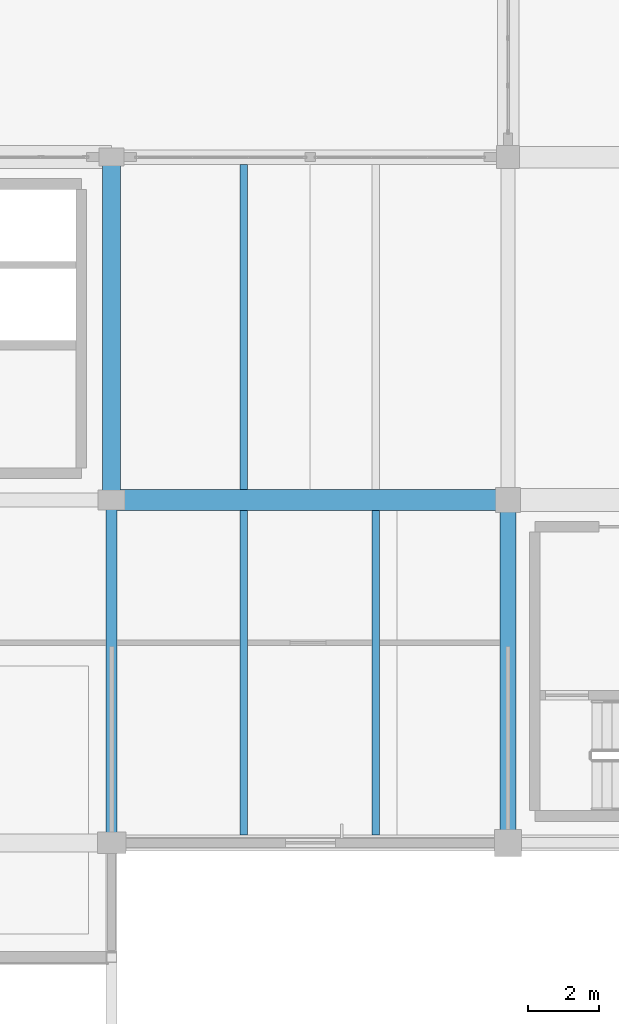
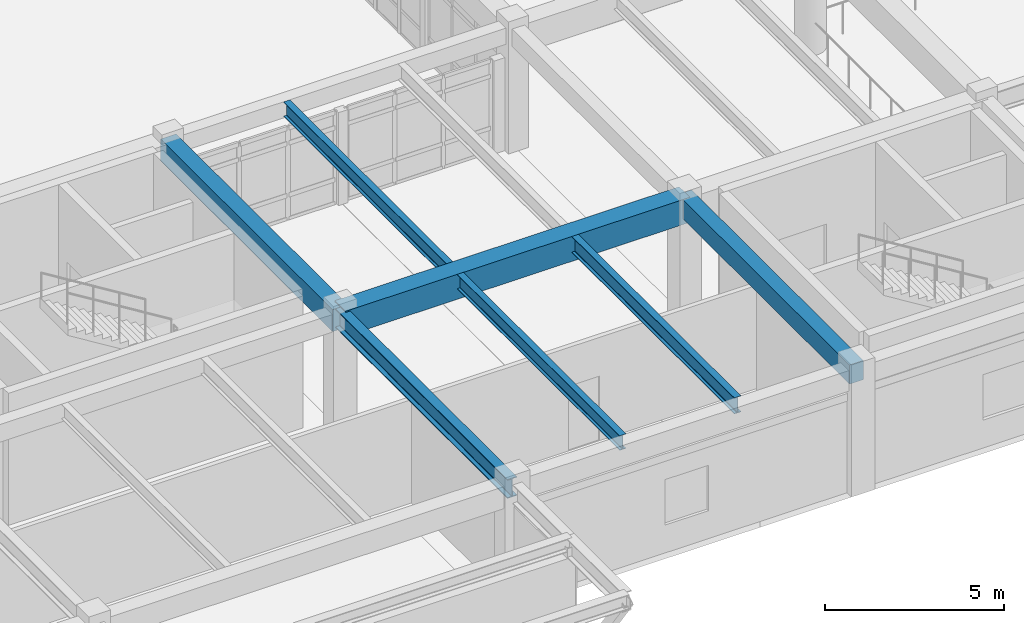
# One storey, part 25 of 109: 7 beams.
"""IFC4 building model written with IfcOpenShell, lengths in metres."""

from ifc_helpers import new_model, si_unit, direction, frame, origin, origin_2d, place, context, subcontext, project, spatial, rectangle, i_section, extrude, material, material_profile, profile_set, type_object, element, save


model = new_model("IFC4")

# Units and contexts
model_context = context("Model", 3, precision=1e-05, world=origin(), true_north=direction((0.0, 1.0)))
body_context = subcontext(model_context, "Body", "Model", "MODEL_VIEW")
ifc_project = project(units=[si_unit("LENGTHUNIT", "METRE"), si_unit("AREAUNIT", "SQUARE_METRE"), si_unit("VOLUMEUNIT", "CUBIC_METRE"), si_unit("PLANEANGLEUNIT", "RADIAN"), si_unit("MASSUNIT", "GRAM", prefix="KILO")], contexts=[model_context])

# Site, building, storey
site_placement = place(None, origin())
site = spatial("IfcSite", under=ifc_project, at=site_placement, CompositionType="ELEMENT")
building_placement = place(site_placement, origin())
building = spatial("IfcBuilding", under=site, at=building_placement, Name="Fikremerkos Civic Library", CompositionType="ELEMENT")
storey_placement = place(building_placement, frame((0.0, 0.0, 5.39990234375)))
storey = spatial("IfcBuildingStorey", under=building, at=storey_placement, Name="L01", CompositionType="ELEMENT", Elevation=5.39990234375)

# Beams
ifc_material_1 = material(Name="Steel S355", Category="steel")
ifc_material_profile_1 = material_profile(ifc_material_1, i_section(OverallWidth=0.2099609375, OverallDepth=0.550048828125, WebThickness=0.010986328125, FlangeThickness=0.01708984375, FilletRadius=0.02392578125, at=origin_2d()), Name="IPE 550")
ifc_profile_set_1 = profile_set([ifc_material_profile_1], Name="Steel S355")
beam_type_1 = type_object("IfcBeamType", Name="Floor joist JS-05 IPE 550", PredefinedType="JOIST", material=ifc_profile_set_1)
beam_1_placement = place(storey_placement, frame((121.10009765625, 12.22509765625, 3.945068359375), z_axis=(0.0, 1.0, 0.0), x_axis=(-1.0, 0.0, 0.0)))
element("IfcBeam", 1, at=beam_1_placement, inside=storey, type_object=beam_type_1, Name="Floor joist JS-05 L01 #445", PredefinedType="JOIST", context=body_context, shape_type="SweptSolid", body=[
    extrude(i_section(OverallWidth=0.2099609375, OverallDepth=0.550048828125, WebThickness=0.010986328125, FlangeThickness=0.01708984375, FilletRadius=0.02392578125, at=origin_2d()), origin(), (0.0, 0.0, 1.0), 9.074951171875),
])
ifc_material_profile_2 = material_profile(ifc_material_1, i_section(OverallWidth=0.199951171875, OverallDepth=0.5, WebThickness=0.01025390625, FlangeThickness=0.01611328125, FilletRadius=0.02099609375, at=origin_2d()), Name="IPE 500")
ifc_profile_set_2 = profile_set([ifc_material_profile_2], Name="Steel S355")
beam_type_2 = type_object("IfcBeamType", Name="Floor joist JS-06 IPE 500", PredefinedType="JOIST", material=ifc_profile_set_2)
beam_2_placement = place(storey_placement, frame((117.39990234375, 12.22509765625, 3.97021484375), z_axis=(0.0, 1.0, 0.0), x_axis=(-1.0, 0.0, 0.0)))
element("IfcBeam", 2, at=beam_2_placement, inside=storey, type_object=beam_type_2, Name="Floor joist JS-06 L01 #444", PredefinedType="JOIST", context=body_context, shape_type="SweptSolid", body=[
    extrude(i_section(OverallWidth=0.199951171875, OverallDepth=0.5, WebThickness=0.01025390625, FlangeThickness=0.01611328125, FilletRadius=0.02099609375, at=origin_2d()), origin(), (0.0, 0.0, 1.0), 9.074951171875),
])
beam_3_placement = place(storey_placement, frame((117.39990234375, 21.89990234375, 3.97021484375), z_axis=(0.0, 1.0, 0.0), x_axis=(-1.0, 0.0, 0.0)))
element("IfcBeam", 3, at=beam_3_placement, inside=storey, type_object=beam_type_2, Name="Floor joist JS-06 L01 #446", PredefinedType="JOIST", context=body_context, shape_type="SweptSolid", body=[
    extrude(i_section(OverallWidth=0.199951171875, OverallDepth=0.5, WebThickness=0.01025390625, FlangeThickness=0.01611328125, FilletRadius=0.02099609375, at=origin_2d()), origin(), (0.0, 0.0, 1.0), 9.10009765625),
])
ifc_material_2 = material(Name="Concrete C40/50", Category="concrete")
ifc_material_profile_3 = material_profile(ifc_material_2, rectangle(XDim=0.5, YDim=0.75, at=origin_2d()), Name="RC 500x750")
ifc_profile_set_3 = profile_set([ifc_material_profile_3], Name="Concrete C40/50")
beam_type_3 = type_object("IfcBeamType", Name="Primary girder BM-05 RC 500x750", PredefinedType="BEAM", material=ifc_profile_set_3)
beam_4_placement = place(storey_placement, frame((113.699951171875, 21.60009765625, 3.80517578125), z_axis=(0.0, 1.0, 0.0), x_axis=(-1.0, 0.0, 0.0)))
element("IfcBeam", 4, at=beam_4_placement, inside=storey, type_object=beam_type_3, Name="Primary girder BM-05 L01 grid 10", PredefinedType="BEAM", context=body_context, shape_type="SweptSolid", body=[
    extrude(rectangle(XDim=0.5, YDim=0.75, at=origin_2d()), origin(), (0.0, 0.0, 1.0), 9.599853515625),
])
ifc_material_profile_4 = material_profile(ifc_material_2, rectangle(XDim=0.449951171875, YDim=0.64990234375, at=origin_2d()), Name="RC 450x650")
ifc_profile_set_4 = profile_set([ifc_material_profile_4], Name="Concrete C40/50")
beam_type_4 = type_object("IfcBeamType", Name="Primary girder BM-07 RC 450x650", PredefinedType="BEAM", material=ifc_profile_set_4)
beam_5_placement = place(storey_placement, frame((124.800048828125, 12.0, 3.89501953125), z_axis=(0.0, 1.0, 0.0), x_axis=(-1.0, 0.0, 0.0)))
element("IfcBeam", 5, at=beam_5_placement, inside=storey, type_object=beam_type_4, Name="Primary girder BM-07 L01 grid 11", PredefinedType="BEAM", context=body_context, shape_type="SweptSolid", body=[
    extrude(rectangle(XDim=0.449951171875, YDim=0.64990234375, at=origin_2d()), origin(), (0.0, 0.0, 1.0), 9.60009765625),
])
ifc_material_profile_5 = material_profile(ifc_material_1, i_section(OverallWidth=0.300048828125, OverallDepth=0.64990234375, WebThickness=0.01611328125, FlangeThickness=0.031005859375, FilletRadius=0.027099609375, at=origin_2d()), Name="HEB 650")
ifc_profile_set_5 = profile_set([ifc_material_profile_5], Name="Steel S355")
beam_type_5 = type_object("IfcBeamType", Name="Primary girder BM-12 HEB 650", PredefinedType="BEAM", material=ifc_profile_set_5)
beam_6_placement = place(storey_placement, frame((113.699951171875, 12.0, 3.85498046875), z_axis=(0.0, 1.0, 0.0), x_axis=(-1.0, 0.0, 0.0)))
element("IfcBeam", 6, at=beam_6_placement, inside=storey, type_object=beam_type_5, Name="Primary girder BM-12 L01 grid 10", PredefinedType="BEAM", context=body_context, shape_type="SweptSolid", body=[
    extrude(i_section(OverallWidth=0.300048828125, OverallDepth=0.64990234375, WebThickness=0.01611328125, FlangeThickness=0.031005859375, FilletRadius=0.027099609375, at=origin_2d()), origin(), (0.0, 0.0, 1.0), 9.60009765625),
])
ifc_material_profile_6 = material_profile(ifc_material_2, rectangle(XDim=0.60009765625, YDim=0.85009765625, at=origin_2d()), Name="RC 600x850")
ifc_profile_set_6 = profile_set([ifc_material_profile_6], Name="Concrete C40/50")
beam_type_6 = type_object("IfcBeamType", Name="Primary girder BM-24 RC 600x850", PredefinedType="BEAM", material=ifc_profile_set_6)
beam_7_placement = place(storey_placement, frame((113.699951171875, 21.60009765625, 3.795166015625), z_axis=(1.0, 0.0, 0.0), x_axis=(0.0, 1.0, 0.0)))
element("IfcBeam", 7, at=beam_7_placement, inside=storey, type_object=beam_type_6, Name="Primary girder BM-24 L01 grid F", PredefinedType="BEAM", context=body_context, shape_type="SweptSolid", body=[
    extrude(rectangle(XDim=0.60009765625, YDim=0.85009765625, at=origin_2d()), origin(), (0.0, 0.0, 1.0), 11.10009765625),
])

save(model, "model.ifc")
